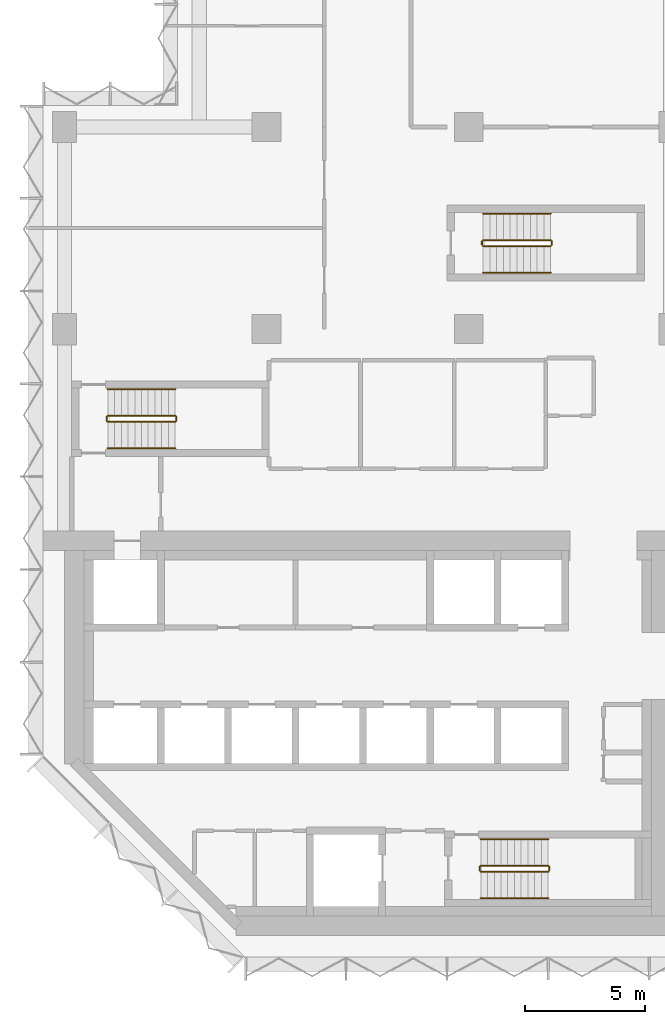
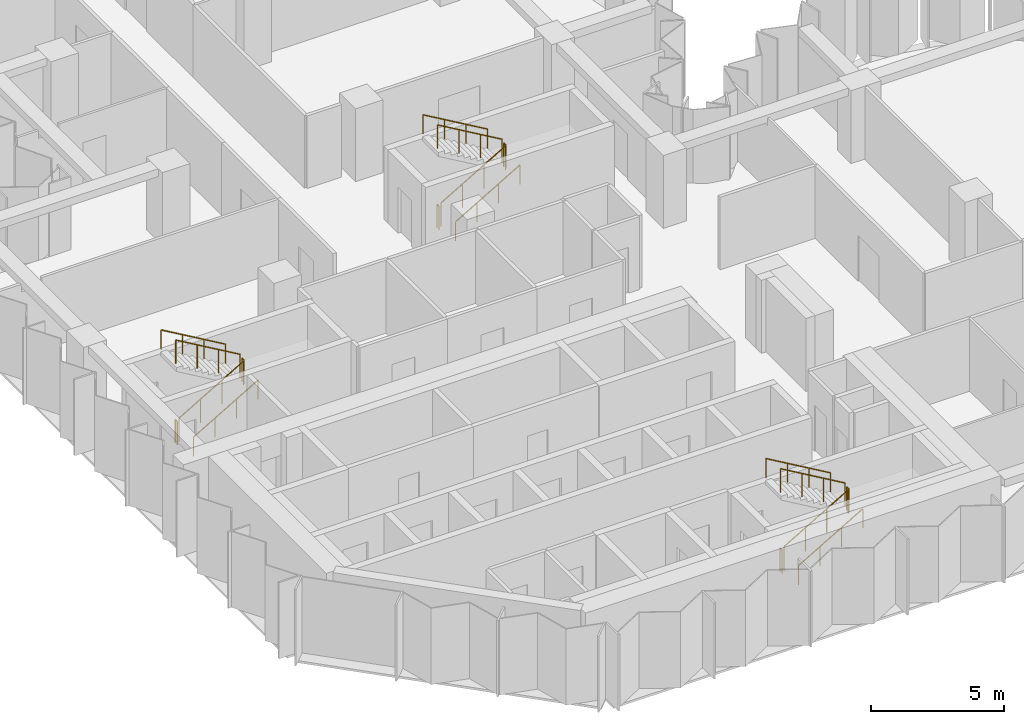
# One storey, part 10 of 11: 18 railings.
"""IFC4 building model written with IfcOpenShell, lengths in metres."""

from ifc_helpers import new_model, si_unit, direction, frame, origin, origin_2d, place, context, subcontext, project, spatial, circle, extrude, material, type_object, element, save


model = new_model("IFC4")

# Units and contexts
model_context = context("Model", 3, precision=1e-05, world=origin(), true_north=direction((0.0, 1.0)))
body_context = subcontext(model_context, "Body", "Model", "MODEL_VIEW")
ifc_project = project(units=[si_unit("LENGTHUNIT", "METRE"), si_unit("AREAUNIT", "SQUARE_METRE"), si_unit("VOLUMEUNIT", "CUBIC_METRE"), si_unit("PLANEANGLEUNIT", "RADIAN"), si_unit("MASSUNIT", "GRAM", prefix="KILO")], contexts=[model_context])

# Site, building, storey
site_placement = place(None, origin())
site = spatial("IfcSite", under=ifc_project, at=site_placement, CompositionType="ELEMENT")
building_placement = place(site_placement, origin())
building = spatial("IfcBuilding", under=site, at=building_placement, Name="Brevane Broadcast Tower", CompositionType="ELEMENT")
storey_placement = place(building_placement, frame((0.0, 0.0, 138.5)))
storey = spatial("IfcBuildingStorey", under=building, at=storey_placement, Name="L34", CompositionType="ELEMENT", Elevation=138.5)

# Railings
ifc_material = material(Name="Steel S355", Category="steel")
railing_type_1 = type_object("IfcRailingType", Name="Exit stair guard", PredefinedType="GUARDRAIL", material=ifc_material)
railing_1_placement = place(storey_placement, frame((1.800048828125, 21.35009765625, 0.16357421875)))
element("IfcRailing", 1, at=railing_1_placement, inside=storey, type_object=railing_type_1, Name="L34 ST-1 stair guard 1", PredefinedType="GUARDRAIL", context=body_context, shape_type="SweptSolid", body=[
    extrude(circle(Radius=0.02392578125, at=origin_2d()), frame((0.0, 0.0, 1.076171875), z_axis=(0.863360870873, 0.0, 0.504586966384), x_axis=(0.0, 1.0, 0.0)), (0.0, 0.0, 1.0), 3.2431640625),
    extrude(circle(Radius=0.02099609375, at=origin_2d()), origin(), (0.0, 0.0, 1.0), 1.052001953125),
    extrude(circle(Radius=0.02099609375, at=origin_2d()), frame((0.933349609375, 0.0, 0.54541015625)), (0.0, 0.0, 1.0), 1.052001953125),
    extrude(circle(Radius=0.02099609375, at=origin_2d()), frame((1.86669921875, 0.0, 1.091064453125)), (0.0, 0.0, 1.0), 1.052001953125),
    extrude(circle(Radius=0.02099609375, at=origin_2d()), frame((2.800048828125, 0.0, 1.636474609375)), (0.0, 0.0, 1.0), 1.052001953125),
])
railing_2_placement = place(storey_placement, frame((4.64990234375, 21.39990234375, 1.800048828125)))
element("IfcRailing", 2, at=railing_2_placement, inside=storey, type_object=railing_type_1, Name="L34 ST-1 stair guard 2", PredefinedType="GUARDRAIL", context=body_context, shape_type="SweptSolid", body=[
    extrude(circle(Radius=0.02392578125, at=origin_2d()), frame((0.0, 0.0, 1.076171875), z_axis=(0.0, 1.0, 0.0), x_axis=(-1.0, 0.0, 0.0)), (0.0, 0.0, 1.0), 0.150146484375),
    extrude(circle(Radius=0.02099609375, at=origin_2d()), origin(), (0.0, 0.0, 1.0), 1.052001953125),
    extrude(circle(Radius=0.02099609375, at=origin_2d()), frame((0.0, 0.150146484375, 0.0)), (0.0, 0.0, 1.0), 1.052001953125),
])
railing_3_placement = place(storey_placement, frame((4.60009765625, 21.60009765625, 1.963623046875)))
element("IfcRailing", 3, at=railing_3_placement, inside=storey, type_object=railing_type_1, Name="L34 ST-1 stair guard 3", PredefinedType="GUARDRAIL", context=body_context, shape_type="SweptSolid", body=[
    extrude(circle(Radius=0.02392578125, at=origin_2d()), frame((0.0, 0.0, 1.076171875), z_axis=(-0.863360870873, 0.0, 0.504586966384), x_axis=(0.0, -1.0, 0.0)), (0.0, 0.0, 1.0), 3.2431640625),
    extrude(circle(Radius=0.02099609375, at=origin_2d()), origin(), (0.0, 0.0, 1.0), 1.052001953125),
    extrude(circle(Radius=0.02099609375, at=origin_2d()), frame((-0.933349609375, 0.0, 0.54541015625)), (0.0, 0.0, 1.0), 1.052001953125),
    extrude(circle(Radius=0.02099609375, at=origin_2d()), frame((-1.86669921875, 0.0, 1.091064453125)), (0.0, 0.0, 1.0), 1.052001953125),
    extrude(circle(Radius=0.02099609375, at=origin_2d()), frame((-2.800048828125, 0.0, 1.636474609375)), (0.0, 0.0, 1.0), 1.052001953125),
])
railing_4_placement = place(storey_placement, frame((1.75, 21.39990234375, 0.0)))
element("IfcRailing", 4, at=railing_4_placement, inside=storey, type_object=railing_type_1, Name="L34 ST-1 stair guard 4", PredefinedType="GUARDRAIL", context=body_context, shape_type="SweptSolid", body=[
    extrude(circle(Radius=0.02392578125, at=origin_2d()), frame((0.0, 0.0, 1.076171875), z_axis=(0.0, 1.0, 0.0), x_axis=(-1.0, 0.0, 0.0)), (0.0, 0.0, 1.0), 0.150146484375),
    extrude(circle(Radius=0.02099609375, at=origin_2d()), origin(), (0.0, 0.0, 1.0), 1.052001953125),
    extrude(circle(Radius=0.02099609375, at=origin_2d()), frame((0.0, 0.150146484375, 0.0)), (0.0, 0.0, 1.0), 1.052001953125),
])
railing_5_placement = place(storey_placement, frame((17.300048828125, 2.64990234375, 0.16357421875)))
element("IfcRailing", 5, at=railing_5_placement, inside=storey, type_object=railing_type_1, Name="L34 ST-2 stair guard 1", PredefinedType="GUARDRAIL", context=body_context, shape_type="SweptSolid", body=[
    extrude(circle(Radius=0.02392578125, at=origin_2d()), frame((0.0, 0.0, 1.076171875), z_axis=(0.863360870873, 0.0, 0.504586966384), x_axis=(0.0, 1.0, 0.0)), (0.0, 0.0, 1.0), 3.2431640625),
    extrude(circle(Radius=0.02099609375, at=origin_2d()), origin(), (0.0, 0.0, 1.0), 1.052001953125),
    extrude(circle(Radius=0.02099609375, at=origin_2d()), frame((0.933349609375, 0.0, 0.54541015625)), (0.0, 0.0, 1.0), 1.052001953125),
    extrude(circle(Radius=0.02099609375, at=origin_2d()), frame((1.86669921875, 0.0, 1.091064453125)), (0.0, 0.0, 1.0), 1.052001953125),
    extrude(circle(Radius=0.02099609375, at=origin_2d()), frame((2.800048828125, 0.0, 1.636474609375)), (0.0, 0.0, 1.0), 1.052001953125),
])
railing_6_placement = place(storey_placement, frame((20.14990234375, 2.699951171875, 1.800048828125)))
element("IfcRailing", 6, at=railing_6_placement, inside=storey, type_object=railing_type_1, Name="L34 ST-2 stair guard 2", PredefinedType="GUARDRAIL", context=body_context, shape_type="SweptSolid", body=[
    extrude(circle(Radius=0.02392578125, at=origin_2d()), frame((0.0, 0.0, 1.076171875), z_axis=(0.0, 1.0, 0.0), x_axis=(-1.0, 0.0, 0.0)), (0.0, 0.0, 1.0), 0.150146484375),
    extrude(circle(Radius=0.02099609375, at=origin_2d()), origin(), (0.0, 0.0, 1.0), 1.052001953125),
    extrude(circle(Radius=0.02099609375, at=origin_2d()), frame((0.0, 0.150146484375, 0.0)), (0.0, 0.0, 1.0), 1.052001953125),
])
railing_7_placement = place(storey_placement, frame((20.10009765625, 2.89990234375, 1.963623046875)))
element("IfcRailing", 7, at=railing_7_placement, inside=storey, type_object=railing_type_1, Name="L34 ST-2 stair guard 3", PredefinedType="GUARDRAIL", context=body_context, shape_type="SweptSolid", body=[
    extrude(circle(Radius=0.02392578125, at=origin_2d()), frame((0.0, 0.0, 1.076171875), z_axis=(-0.863360870873, 0.0, 0.504586966384), x_axis=(0.0, -1.0, 0.0)), (0.0, 0.0, 1.0), 3.2431640625),
    extrude(circle(Radius=0.02099609375, at=origin_2d()), origin(), (0.0, 0.0, 1.0), 1.052001953125),
    extrude(circle(Radius=0.02099609375, at=origin_2d()), frame((-0.933349609375, 0.0, 0.54541015625)), (0.0, 0.0, 1.0), 1.052001953125),
    extrude(circle(Radius=0.02099609375, at=origin_2d()), frame((-1.86669921875, 0.0, 1.091064453125)), (0.0, 0.0, 1.0), 1.052001953125),
    extrude(circle(Radius=0.02099609375, at=origin_2d()), frame((-2.800048828125, 0.0, 1.636474609375)), (0.0, 0.0, 1.0), 1.052001953125),
])
railing_8_placement = place(storey_placement, frame((17.25, 2.699951171875, 0.0)))
element("IfcRailing", 8, at=railing_8_placement, inside=storey, type_object=railing_type_1, Name="L34 ST-2 stair guard 4", PredefinedType="GUARDRAIL", context=body_context, shape_type="SweptSolid", body=[
    extrude(circle(Radius=0.02392578125, at=origin_2d()), frame((0.0, 0.0, 1.076171875), z_axis=(0.0, 1.0, 0.0), x_axis=(-1.0, 0.0, 0.0)), (0.0, 0.0, 1.0), 0.150146484375),
    extrude(circle(Radius=0.02099609375, at=origin_2d()), origin(), (0.0, 0.0, 1.0), 1.052001953125),
    extrude(circle(Radius=0.02099609375, at=origin_2d()), frame((0.0, 0.150146484375, 0.0)), (0.0, 0.0, 1.0), 1.052001953125),
])
railing_9_placement = place(storey_placement, frame((17.39990234375, 28.64990234375, 0.16357421875)))
element("IfcRailing", 9, at=railing_9_placement, inside=storey, type_object=railing_type_1, Name="L34 ST-3 stair guard 1", PredefinedType="GUARDRAIL", context=body_context, shape_type="SweptSolid", body=[
    extrude(circle(Radius=0.02392578125, at=origin_2d()), frame((0.0, 0.0, 1.076171875), z_axis=(0.863360870873, 0.0, 0.504586966384), x_axis=(0.0, 1.0, 0.0)), (0.0, 0.0, 1.0), 3.2431640625),
    extrude(circle(Radius=0.02099609375, at=origin_2d()), origin(), (0.0, 0.0, 1.0), 1.052001953125),
    extrude(circle(Radius=0.02099609375, at=origin_2d()), frame((0.933349609375, 0.0, 0.54541015625)), (0.0, 0.0, 1.0), 1.052001953125),
    extrude(circle(Radius=0.02099609375, at=origin_2d()), frame((1.86669921875, 0.0, 1.091064453125)), (0.0, 0.0, 1.0), 1.052001953125),
    extrude(circle(Radius=0.02099609375, at=origin_2d()), frame((2.800048828125, 0.0, 1.636474609375)), (0.0, 0.0, 1.0), 1.052001953125),
])
railing_10_placement = place(storey_placement, frame((20.25, 28.699951171875, 1.800048828125)))
element("IfcRailing", 10, at=railing_10_placement, inside=storey, type_object=railing_type_1, Name="L34 ST-3 stair guard 2", PredefinedType="GUARDRAIL", context=body_context, shape_type="SweptSolid", body=[
    extrude(circle(Radius=0.02392578125, at=origin_2d()), frame((0.0, 0.0, 1.076171875), z_axis=(0.0, 1.0, 0.0), x_axis=(-1.0, 0.0, 0.0)), (0.0, 0.0, 1.0), 0.150146484375),
    extrude(circle(Radius=0.02099609375, at=origin_2d()), origin(), (0.0, 0.0, 1.0), 1.052001953125),
    extrude(circle(Radius=0.02099609375, at=origin_2d()), frame((0.0, 0.150146484375, 0.0)), (0.0, 0.0, 1.0), 1.052001953125),
])
railing_11_placement = place(storey_placement, frame((20.199951171875, 28.89990234375, 1.963623046875)))
element("IfcRailing", 11, at=railing_11_placement, inside=storey, type_object=railing_type_1, Name="L34 ST-3 stair guard 3", PredefinedType="GUARDRAIL", context=body_context, shape_type="SweptSolid", body=[
    extrude(circle(Radius=0.02392578125, at=origin_2d()), frame((0.0, 0.0, 1.076171875), z_axis=(-0.863360870873, 0.0, 0.504586966384), x_axis=(0.0, -1.0, 0.0)), (0.0, 0.0, 1.0), 3.2431640625),
    extrude(circle(Radius=0.02099609375, at=origin_2d()), origin(), (0.0, 0.0, 1.0), 1.052001953125),
    extrude(circle(Radius=0.02099609375, at=origin_2d()), frame((-0.933349609375, 0.0, 0.54541015625)), (0.0, 0.0, 1.0), 1.052001953125),
    extrude(circle(Radius=0.02099609375, at=origin_2d()), frame((-1.86669921875, 0.0, 1.091064453125)), (0.0, 0.0, 1.0), 1.052001953125),
    extrude(circle(Radius=0.02099609375, at=origin_2d()), frame((-2.800048828125, 0.0, 1.636474609375)), (0.0, 0.0, 1.0), 1.052001953125),
])
railing_12_placement = place(storey_placement, frame((17.35009765625, 28.699951171875, 0.0)))
element("IfcRailing", 12, at=railing_12_placement, inside=storey, type_object=railing_type_1, Name="L34 ST-3 stair guard 4", PredefinedType="GUARDRAIL", context=body_context, shape_type="SweptSolid", body=[
    extrude(circle(Radius=0.02392578125, at=origin_2d()), frame((0.0, 0.0, 1.076171875), z_axis=(0.0, 1.0, 0.0), x_axis=(-1.0, 0.0, 0.0)), (0.0, 0.0, 1.0), 0.150146484375),
    extrude(circle(Radius=0.02099609375, at=origin_2d()), origin(), (0.0, 0.0, 1.0), 1.052001953125),
    extrude(circle(Radius=0.02099609375, at=origin_2d()), frame((0.0, 0.150146484375, 0.0)), (0.0, 0.0, 1.0), 1.052001953125),
])
railing_type_2 = type_object("IfcRailingType", Name="Exit stair handrail", PredefinedType="HANDRAIL", material=ifc_material)
railing_13_placement = place(storey_placement, frame((1.800048828125, 20.25, 0.16357421875)))
element("IfcRailing", 13, at=railing_13_placement, inside=storey, type_object=railing_type_2, Name="L34 ST-1 stair handrail 1", PredefinedType="HANDRAIL", context=body_context, shape_type="SweptSolid", body=[
    extrude(circle(Radius=0.02392578125, at=origin_2d()), frame((0.0, 0.0, 0.8759765625), z_axis=(0.863360870873, 0.0, 0.504586966384), x_axis=(0.0, 1.0, 0.0)), (0.0, 0.0, 1.0), 3.2431640625),
    extrude(circle(Radius=0.02099609375, at=origin_2d()), origin(), (0.0, 0.0, 1.0), 0.851806640625),
    extrude(circle(Radius=0.02099609375, at=origin_2d()), frame((0.933349609375, 0.0, 0.54541015625)), (0.0, 0.0, 1.0), 0.851806640625),
    extrude(circle(Radius=0.02099609375, at=origin_2d()), frame((1.86669921875, 0.0, 1.091064453125)), (0.0, 0.0, 1.0), 0.851806640625),
    extrude(circle(Radius=0.02099609375, at=origin_2d()), frame((2.800048828125, 0.0, 1.636474609375)), (0.0, 0.0, 1.0), 0.851806640625),
])
railing_14_placement = place(storey_placement, frame((4.60009765625, 22.699951171875, 1.963623046875)))
element("IfcRailing", 14, at=railing_14_placement, inside=storey, type_object=railing_type_2, Name="L34 ST-1 stair handrail 2", PredefinedType="HANDRAIL", context=body_context, shape_type="SweptSolid", body=[
    extrude(circle(Radius=0.02392578125, at=origin_2d()), frame((0.0, 0.0, 0.8759765625), z_axis=(-0.863360870873, 0.0, 0.504586966384), x_axis=(0.0, -1.0, 0.0)), (0.0, 0.0, 1.0), 3.2431640625),
    extrude(circle(Radius=0.02099609375, at=origin_2d()), origin(), (0.0, 0.0, 1.0), 0.851806640625),
    extrude(circle(Radius=0.02099609375, at=origin_2d()), frame((-0.933349609375, 0.0, 0.54541015625)), (0.0, 0.0, 1.0), 0.851806640625),
    extrude(circle(Radius=0.02099609375, at=origin_2d()), frame((-1.86669921875, 0.0, 1.091064453125)), (0.0, 0.0, 1.0), 0.851806640625),
    extrude(circle(Radius=0.02099609375, at=origin_2d()), frame((-2.800048828125, 0.0, 1.636474609375)), (0.0, 0.0, 1.0), 0.851806640625),
])
railing_15_placement = place(storey_placement, frame((17.300048828125, 1.550048828125, 0.16357421875)))
element("IfcRailing", 15, at=railing_15_placement, inside=storey, type_object=railing_type_2, Name="L34 ST-2 stair handrail 1", PredefinedType="HANDRAIL", context=body_context, shape_type="SweptSolid", body=[
    extrude(circle(Radius=0.02392578125, at=origin_2d()), frame((0.0, 0.0, 0.8759765625), z_axis=(0.863360870873, 0.0, 0.504586966384), x_axis=(0.0, 1.0, 0.0)), (0.0, 0.0, 1.0), 3.2431640625),
    extrude(circle(Radius=0.02099609375, at=origin_2d()), origin(), (0.0, 0.0, 1.0), 0.851806640625),
    extrude(circle(Radius=0.02099609375, at=origin_2d()), frame((0.933349609375, 0.0, 0.54541015625)), (0.0, 0.0, 1.0), 0.851806640625),
    extrude(circle(Radius=0.02099609375, at=origin_2d()), frame((1.86669921875, 0.0, 1.091064453125)), (0.0, 0.0, 1.0), 0.851806640625),
    extrude(circle(Radius=0.02099609375, at=origin_2d()), frame((2.800048828125, 0.0, 1.636474609375)), (0.0, 0.0, 1.0), 0.851806640625),
])
railing_16_placement = place(storey_placement, frame((20.10009765625, 4.0, 1.963623046875)))
element("IfcRailing", 16, at=railing_16_placement, inside=storey, type_object=railing_type_2, Name="L34 ST-2 stair handrail 2", PredefinedType="HANDRAIL", context=body_context, shape_type="SweptSolid", body=[
    extrude(circle(Radius=0.02392578125, at=origin_2d()), frame((0.0, 0.0, 0.8759765625), z_axis=(-0.863360870873, 0.0, 0.504586966384), x_axis=(0.0, -1.0, 0.0)), (0.0, 0.0, 1.0), 3.2431640625),
    extrude(circle(Radius=0.02099609375, at=origin_2d()), origin(), (0.0, 0.0, 1.0), 0.851806640625),
    extrude(circle(Radius=0.02099609375, at=origin_2d()), frame((-0.933349609375, 0.0, 0.54541015625)), (0.0, 0.0, 1.0), 0.851806640625),
    extrude(circle(Radius=0.02099609375, at=origin_2d()), frame((-1.86669921875, 0.0, 1.091064453125)), (0.0, 0.0, 1.0), 0.851806640625),
    extrude(circle(Radius=0.02099609375, at=origin_2d()), frame((-2.800048828125, 0.0, 1.636474609375)), (0.0, 0.0, 1.0), 0.851806640625),
])
railing_17_placement = place(storey_placement, frame((17.39990234375, 27.550048828125, 0.16357421875)))
element("IfcRailing", 17, at=railing_17_placement, inside=storey, type_object=railing_type_2, Name="L34 ST-3 stair handrail 1", PredefinedType="HANDRAIL", context=body_context, shape_type="SweptSolid", body=[
    extrude(circle(Radius=0.02392578125, at=origin_2d()), frame((0.0, 0.0, 0.8759765625), z_axis=(0.863360870873, 0.0, 0.504586966384), x_axis=(0.0, 1.0, 0.0)), (0.0, 0.0, 1.0), 3.2431640625),
    extrude(circle(Radius=0.02099609375, at=origin_2d()), origin(), (0.0, 0.0, 1.0), 0.851806640625),
    extrude(circle(Radius=0.02099609375, at=origin_2d()), frame((0.933349609375, 0.0, 0.54541015625)), (0.0, 0.0, 1.0), 0.851806640625),
    extrude(circle(Radius=0.02099609375, at=origin_2d()), frame((1.86669921875, 0.0, 1.091064453125)), (0.0, 0.0, 1.0), 0.851806640625),
    extrude(circle(Radius=0.02099609375, at=origin_2d()), frame((2.800048828125, 0.0, 1.636474609375)), (0.0, 0.0, 1.0), 0.851806640625),
])
railing_18_placement = place(storey_placement, frame((20.199951171875, 30.0, 1.963623046875)))
element("IfcRailing", 18, at=railing_18_placement, inside=storey, type_object=railing_type_2, Name="L34 ST-3 stair handrail 2", PredefinedType="HANDRAIL", context=body_context, shape_type="SweptSolid", body=[
    extrude(circle(Radius=0.02392578125, at=origin_2d()), frame((0.0, 0.0, 0.8759765625), z_axis=(-0.863360870873, 0.0, 0.504586966384), x_axis=(0.0, -1.0, 0.0)), (0.0, 0.0, 1.0), 3.2431640625),
    extrude(circle(Radius=0.02099609375, at=origin_2d()), origin(), (0.0, 0.0, 1.0), 0.851806640625),
    extrude(circle(Radius=0.02099609375, at=origin_2d()), frame((-0.933349609375, 0.0, 0.54541015625)), (0.0, 0.0, 1.0), 0.851806640625),
    extrude(circle(Radius=0.02099609375, at=origin_2d()), frame((-1.86669921875, 0.0, 1.091064453125)), (0.0, 0.0, 1.0), 0.851806640625),
    extrude(circle(Radius=0.02099609375, at=origin_2d()), frame((-2.800048828125, 0.0, 1.636474609375)), (0.0, 0.0, 1.0), 0.851806640625),
])

save(model, "model.ifc")
